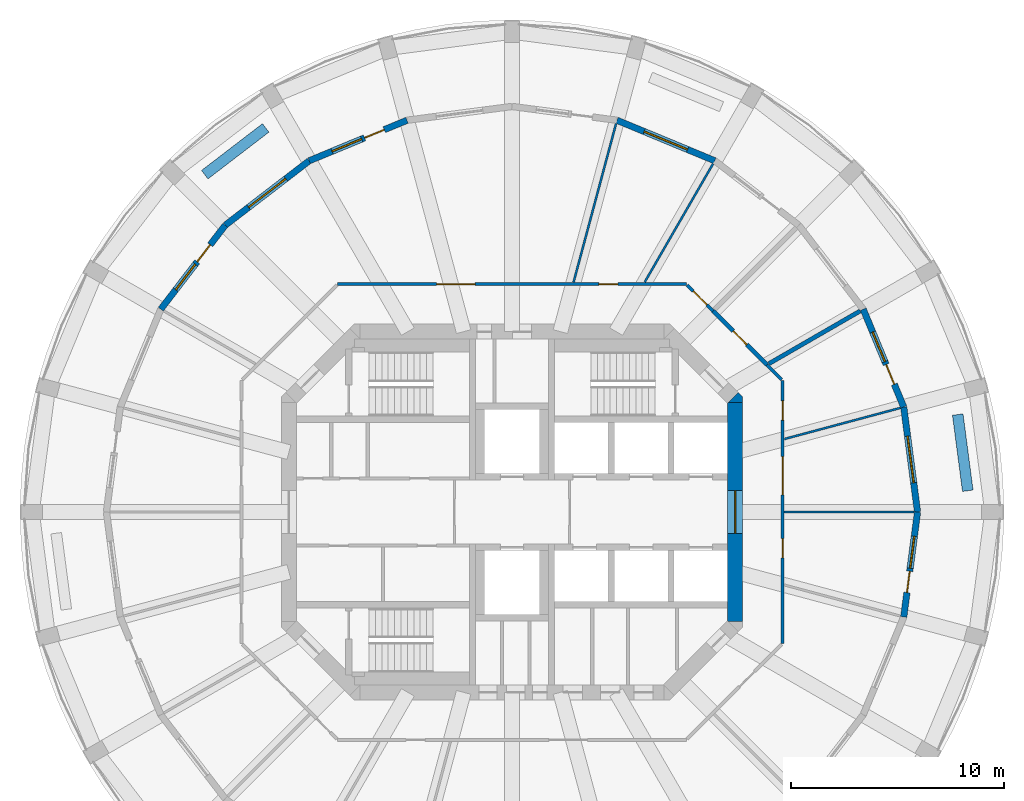
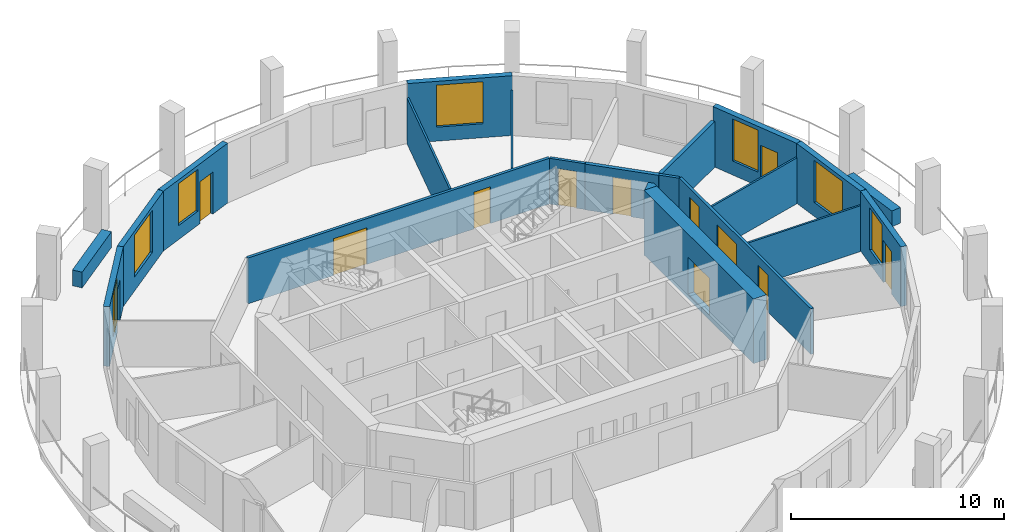
# One storey, part 6 of 9: 21 walls, 12 doors, 7 windows, 19 openings.
"""IFC4 building model written with IfcOpenShell, lengths in metres."""

from ifc_helpers import new_model, si_unit, direction, frame, frame_2d, origin, place, context, subcontext, project, spatial, polyline, rectangle, outline, extrude, material, layer, layer_set, type_object, element, fill, save


model = new_model("IFC4")

# Units and contexts
model_context = context("Model", 3, precision=1e-05, world=origin(), true_north=direction((0.0, 1.0)))
body_context = subcontext(model_context, "Body", "Model", "MODEL_VIEW")
ifc_project = project(units=[si_unit("LENGTHUNIT", "METRE"), si_unit("AREAUNIT", "SQUARE_METRE"), si_unit("VOLUMEUNIT", "CUBIC_METRE"), si_unit("PLANEANGLEUNIT", "RADIAN"), si_unit("MASSUNIT", "GRAM", prefix="KILO")], contexts=[model_context])

# Site, building, storey
site_placement = place(None, origin())
site = spatial("IfcSite", under=ifc_project, at=site_placement, CompositionType="ELEMENT")
building_placement = place(site_placement, origin())
building = spatial("IfcBuilding", under=site, at=building_placement, Name="Torre Triforio", CompositionType="ELEMENT")
storey_placement = place(building_placement, frame((0.0, 0.0, 169.0)))
storey = spatial("IfcBuildingStorey", under=building, at=storey_placement, Name="L38", CompositionType="ELEMENT", Elevation=169.0)

# Wall, opening, door
ifc_material_1 = material(Name="Concrete C50", Category="concrete")
ifc_layer_1 = layer(ifc_material_1, 0.699951171875)
ifc_layer_set_1 = layer_set([ifc_layer_1], Name="Concrete C50")
wall_type_1 = type_object("IfcWallType", Name="Core wall 700 mm C50 EI 120", PredefinedType="SHEAR", material=ifc_layer_set_1)
wall_1_placement = place(storey_placement, frame((10.449951171875, -5.1298828125, -0.280029296875), z_axis=(0.0, 0.0, 1.0), x_axis=(0.0, 1.0, 0.0)))
wall_1 = element("IfcWall", 1, at=wall_1_placement, inside=storey, type_object=wall_type_1, Name="Core wall", PredefinedType="SHEAR", context=body_context, shape_type="SweptSolid", body=[
    extrude(rectangle(XDim=10.259765625, YDim=0.699951171875, at=frame_2d((5.1298828125, 0.0))), origin(), (0.0, 0.0, 1.0), 3.699951171875),
])
opening_1_placement = place(wall_1_placement, frame((4.1298828125, 0.0, 0.280029296875)))
opening_1 = element("IfcOpeningElement", 2, at=opening_1_placement, cuts=wall_1, Name="Opening E-RING", PredefinedType="OPENING", context=body_context, shape_type="SweptSolid", body=[
    extrude(rectangle(XDim=2.0, YDim=2.10009765625, at=frame_2d((1.0, 1.050048828125))), frame((0.0, 0.35986328125, 0.0), z_axis=(0.0, -1.0, 0.0), x_axis=(1.0, 0.0, 0.0)), (0.0, 0.0, 1.0), 0.719970703125),
])
ifc_material_2 = material(Name="Hollow metal fire door leaf")
door_type_1 = type_object("IfcDoorType", Name="Lobby door 2000 x 2100 EI 60", OperationType="DOUBLE_DOOR_SINGLE_SWING", PredefinedType="DOOR", material=ifc_material_2)
door_1_placement = place(opening_1_placement, origin())
door_1 = element("IfcDoor", 3, at=door_1_placement, inside=storey, type_object=door_type_1, Name="Core door E-RING", OperationType="DOUBLE_DOOR_SINGLE_SWING", OverallHeight=2.10009765625, OverallWidth=2.0, PredefinedType="DOOR", context=body_context, shape_type="SweptSolid", body=[
    extrude(rectangle(XDim=2.0, YDim=2.10009765625, at=frame_2d((1.0, 1.050048828125))), frame((0.0, 0.02490234375, 0.0), z_axis=(0.0, -1.0, 0.0), x_axis=(1.0, 0.0, 0.0)), (0.0, 0.0, 1.0), 0.050048828125),
])
fill(opening_1, door_1)

# Wall
wall_2_placement = place(storey_placement, frame((0.0, 0.0, -0.280029296875)))
element("IfcWall", 4, at=wall_2_placement, inside=storey, type_object=wall_type_1, Name="Core wall", PredefinedType="SHEAR", context=body_context, shape_type="SweptSolid", body=[
    extrude(outline(polyline([(10.800048828125, 5.389892578125), (10.800048828125, 5.1298828125), (10.800048828125, 5.1298828125), (10.1298828125, 5.1298828125), (10.594970703125, 5.594970703125), (10.594970703125, 5.594970703125), (10.594970703125, 5.594970703125), (10.800048828125, 5.389892578125)])), origin(), (0.0, 0.0, 1.0), 3.699951171875),
])

# Wall, openings, doors
ifc_material_3 = material(Name="Plasterboard on metal studs")
ifc_layer_2 = layer(ifc_material_3, 0.14990234375)
ifc_layer_set_2 = layer_set([ifc_layer_2], Name="Plasterboard on metal studs")
wall_type_2 = type_object("IfcWallType", Name="Corridor and tenancy wall 150 mm EI 60", PredefinedType="PARTITIONING", material=ifc_layer_set_2)
wall_3_placement = place(storey_placement, frame((-8.16650390625, 10.675048828125, 0.0), z_axis=(0.0, 0.0, 1.0), x_axis=(1.0, 0.0, 0.0)))
wall_3 = element("IfcWall", 5, at=wall_3_placement, inside=storey, type_object=wall_type_2, Name="Partition 6", PredefinedType="PARTITIONING", context=body_context, shape_type="SweptSolid", body=[
    extrude(rectangle(XDim=16.3330078125, YDim=0.14990234375, at=frame_2d((8.16650390625, 0.0))), origin(), (0.0, 0.0, 1.0), 2.6201171875),
])
opening_2_placement = place(wall_3_placement, frame((4.639404296875, 0.0, 0.0)))
opening_2 = element("IfcOpeningElement", 6, at=opening_2_placement, cuts=wall_3, Name="Opening O2-01", PredefinedType="OPENING", context=body_context, shape_type="SweptSolid", body=[
    extrude(rectangle(XDim=1.800048828125, YDim=2.10009765625, at=frame_2d((0.89990234375, 1.050048828125))), frame((0.0, 0.0849609375, 0.0), z_axis=(0.0, -1.0, 0.0), x_axis=(1.0, 0.0, 0.0)), (0.0, 0.0, 1.0), 0.169921875),
])
opening_3_placement = place(wall_3_placement, frame((12.232421875, 0.0, 0.0)))
opening_3 = element("IfcOpeningElement", 7, at=opening_3_placement, cuts=wall_3, Name="Opening O2-16", PredefinedType="OPENING", context=body_context, shape_type="SweptSolid", body=[
    extrude(rectangle(XDim=0.89990234375, YDim=2.10009765625, at=frame_2d((0.449951171875, 1.050048828125))), frame((0.0, 0.0849609375, 0.0), z_axis=(0.0, -1.0, 0.0), x_axis=(1.0, 0.0, 0.0)), (0.0, 0.0, 1.0), 0.169921875),
])
ifc_material_4 = material(Name="Timber", Category="wood")
door_type_2 = type_object("IfcDoorType", Name="Door 1800 x 2100 double leaf EI 30", OperationType="DOUBLE_DOOR_SINGLE_SWING", PredefinedType="DOOR", material=ifc_material_4)
door_2_placement = place(opening_2_placement, origin())
door_2 = element("IfcDoor", 8, at=door_2_placement, inside=storey, type_object=door_type_2, Name="Door O2-01", OperationType="DOUBLE_DOOR_SINGLE_SWING", OverallHeight=2.10009765625, OverallWidth=1.800048828125, PredefinedType="DOOR", context=body_context, shape_type="SweptSolid", body=[
    extrude(rectangle(XDim=1.800048828125, YDim=2.10009765625, at=frame_2d((0.89990234375, 1.050048828125))), frame((0.0, 0.02490234375, 0.0), z_axis=(0.0, -1.0, 0.0), x_axis=(1.0, 0.0, 0.0)), (0.0, 0.0, 1.0), 0.050048828125),
])
fill(opening_2, door_2)
door_type_3 = type_object("IfcDoorType", Name="Door 900 x 2100 single leaf EI 30", OperationType="NOTDEFINED", PredefinedType="DOOR", material=ifc_material_4)
door_3_placement = place(opening_3_placement, origin())
door_3 = element("IfcDoor", 9, at=door_3_placement, inside=storey, type_object=door_type_3, Name="Door O2-16", OperationType="SINGLE_SWING_LEFT", OverallHeight=2.10009765625, OverallWidth=0.89990234375, PredefinedType="DOOR", context=body_context, shape_type="SweptSolid", body=[
    extrude(rectangle(XDim=0.89990234375, YDim=2.10009765625, at=frame_2d((0.449951171875, 1.050048828125))), frame((0.0, 0.02490234375, 0.0), z_axis=(0.0, -1.0, 0.0), x_axis=(1.0, 0.0, 0.0)), (0.0, 0.0, 1.0), 0.050048828125),
])
fill(opening_3, door_3)

# Wall, opening, door
wall_4_placement = place(storey_placement, frame((8.20361328125, 10.637939453125, 0.0), z_axis=(0.0, 0.0, 1.0), x_axis=(0.707177693966, -0.707035861295, 0.0)))
wall_4 = element("IfcWall", 10, at=wall_4_placement, inside=storey, type_object=wall_type_2, Name="Partition 7", PredefinedType="PARTITIONING", context=body_context, shape_type="SweptSolid", body=[
    extrude(rectangle(XDim=1.721435546875, YDim=0.14990234375, at=frame_2d((0.86083984375, 0.0))), origin(), (0.0, 0.0, 1.0), 2.6201171875),
])
opening_4_placement = place(wall_4_placement, frame((0.41064453125, 0.0, 0.0)))
opening_4 = element("IfcOpeningElement", 11, at=opening_4_placement, cuts=wall_4, Name="Opening O2-15", PredefinedType="OPENING", context=body_context, shape_type="SweptSolid", body=[
    extrude(rectangle(XDim=0.89990234375, YDim=2.10009765625, at=frame_2d((0.449951171875, 1.050048828125))), frame((0.0, 0.0849609375, 0.0), z_axis=(0.0, -1.0, 0.0), x_axis=(1.0, 0.0, 0.0)), (0.0, 0.0, 1.0), 0.169921875),
])
door_4_placement = place(opening_4_placement, origin())
door_4 = element("IfcDoor", 12, at=door_4_placement, inside=storey, type_object=door_type_3, Name="Door O2-15", OperationType="SINGLE_SWING_LEFT", OverallHeight=2.10009765625, OverallWidth=0.89990234375, PredefinedType="DOOR", context=body_context, shape_type="SweptSolid", body=[
    extrude(rectangle(XDim=0.89990234375, YDim=2.10009765625, at=frame_2d((0.449951171875, 1.050048828125))), frame((0.0, 0.02490234375, 0.0), z_axis=(0.0, -1.0, 0.0), x_axis=(1.0, 0.0, 0.0)), (0.0, 0.0, 1.0), 0.050048828125),
])
fill(opening_4, door_4)

# Wall
wall_5_placement = place(storey_placement, frame((11.945068359375, 6.896484375, 0.0), z_axis=(0.0, 0.0, 1.0), x_axis=(0.707106781187, -0.707106781187, 0.0)))
element("IfcWall", 13, at=wall_5_placement, inside=storey, type_object=wall_type_2, Name="Partition 9", PredefinedType="PARTITIONING", context=body_context, shape_type="SweptSolid", body=[
    extrude(rectangle(XDim=0.97998046875, YDim=0.14990234375, at=frame_2d((0.489990234375, 0.0))), origin(), (0.0, 0.0, 1.0), 2.6201171875),
])

# Wall, openings, doors
wall_6_placement = place(storey_placement, frame((12.675048828125, 6.16650390625, 0.0), z_axis=(0.0, 0.0, 1.0), x_axis=(0.0, -1.0, 0.0)))
wall_6 = element("IfcWall", 14, at=wall_6_placement, inside=storey, type_object=wall_type_2, Name="Partition 10", PredefinedType="PARTITIONING", context=body_context, shape_type="SweptSolid", body=[
    extrude(rectangle(XDim=12.3330078125, YDim=0.14990234375, at=frame_2d((6.16650390625, 0.0))), origin(), (0.0, 0.0, 1.0), 2.6201171875),
])
opening_5_placement = place(wall_6_placement, frame((7.41552734375, 0.0, 0.0)))
opening_5 = element("IfcOpeningElement", 15, at=opening_5_placement, cuts=wall_6, Name="Opening O2-11", PredefinedType="OPENING", context=body_context, shape_type="SweptSolid", body=[
    extrude(rectangle(XDim=0.89990234375, YDim=2.10009765625, at=frame_2d((0.449951171875, 1.050048828125))), frame((0.0, 0.0849609375, 0.0), z_axis=(0.0, -1.0, 0.0), x_axis=(1.0, 0.0, 0.0)), (0.0, 0.0, 1.0), 0.169921875),
])
opening_6_placement = place(wall_6_placement, frame((3.567626953125, 0.0, 0.0)))
opening_6 = element("IfcOpeningElement", 16, at=opening_6_placement, cuts=wall_6, Name="Opening O2-12", PredefinedType="OPENING", context=body_context, shape_type="SweptSolid", body=[
    extrude(rectangle(XDim=1.800048828125, YDim=2.10009765625, at=frame_2d((0.89990234375, 1.050048828125))), frame((0.0, 0.0849609375, 0.0), z_axis=(0.0, -1.0, 0.0), x_axis=(1.0, 0.0, 0.0)), (0.0, 0.0, 1.0), 0.169921875),
])
opening_7_placement = place(wall_6_placement, frame((0.960205078125, 0.0, 0.0)))
opening_7 = element("IfcOpeningElement", 17, at=opening_7_placement, cuts=wall_6, Name="Opening O2-13", PredefinedType="OPENING", context=body_context, shape_type="SweptSolid", body=[
    extrude(rectangle(XDim=0.89990234375, YDim=2.10009765625, at=frame_2d((0.449951171875, 1.050048828125))), frame((0.0, 0.0849609375, 0.0), z_axis=(0.0, -1.0, 0.0), x_axis=(1.0, 0.0, 0.0)), (0.0, 0.0, 1.0), 0.169921875),
])
door_5_placement = place(opening_6_placement, origin())
door_5 = element("IfcDoor", 18, at=door_5_placement, inside=storey, type_object=door_type_2, Name="Door O2-12", OperationType="DOUBLE_DOOR_SINGLE_SWING", OverallHeight=2.10009765625, OverallWidth=1.800048828125, PredefinedType="DOOR", context=body_context, shape_type="SweptSolid", body=[
    extrude(rectangle(XDim=1.800048828125, YDim=2.10009765625, at=frame_2d((0.89990234375, 1.050048828125))), frame((0.0, 0.02490234375, 0.0), z_axis=(0.0, -1.0, 0.0), x_axis=(1.0, 0.0, 0.0)), (0.0, 0.0, 1.0), 0.050048828125),
])
fill(opening_6, door_5)
door_6_placement = place(opening_5_placement, origin())
door_6 = element("IfcDoor", 19, at=door_6_placement, inside=storey, type_object=door_type_3, Name="Door O2-11", OperationType="SINGLE_SWING_LEFT", OverallHeight=2.10009765625, OverallWidth=0.89990234375, PredefinedType="DOOR", context=body_context, shape_type="SweptSolid", body=[
    extrude(rectangle(XDim=0.89990234375, YDim=2.10009765625, at=frame_2d((0.449951171875, 1.050048828125))), frame((0.0, 0.02490234375, 0.0), z_axis=(0.0, -1.0, 0.0), x_axis=(1.0, 0.0, 0.0)), (0.0, 0.0, 1.0), 0.050048828125),
])
fill(opening_5, door_6)
door_7_placement = place(opening_7_placement, origin())
door_7 = element("IfcDoor", 20, at=door_7_placement, inside=storey, type_object=door_type_3, Name="Door O2-13", OperationType="SINGLE_SWING_LEFT", OverallHeight=2.10009765625, OverallWidth=0.89990234375, PredefinedType="DOOR", context=body_context, shape_type="SweptSolid", body=[
    extrude(rectangle(XDim=0.89990234375, YDim=2.10009765625, at=frame_2d((0.449951171875, 1.050048828125))), frame((0.0, 0.02490234375, 0.0), z_axis=(0.0, -1.0, 0.0), x_axis=(1.0, 0.0, 0.0)), (0.0, 0.0, 1.0), 0.050048828125),
])
fill(opening_7, door_7)

# Walls
ifc_layer_3 = layer(ifc_material_3, 0.10009765625)
ifc_layer_set_3 = layer_set([ifc_layer_3], Name="Plasterboard on metal studs")
wall_type_3 = type_object("IfcWallType", Name="Partition 100 mm board on metal studs", PredefinedType="PARTITIONING", material=ifc_layer_set_3)
wall_7_placement = place(storey_placement, frame((12.75, 0.0, 0.0), z_axis=(0.0, 0.0, 1.0), x_axis=(1.0, 0.0, 0.0)))
element("IfcWall", 21, at=wall_7_placement, inside=storey, type_object=wall_type_3, Name="Partition 11", PredefinedType="PARTITIONING", context=body_context, shape_type="SweptSolid", body=[
    extrude(rectangle(XDim=6.086669921875, YDim=0.10009765625, at=frame_2d((3.04345703125, 0.0))), origin(), (0.0, 0.0, 1.0), 2.6201171875),
])
wall_8_placement = place(storey_placement, frame((12.764404296875, 3.420166015625, 0.0), z_axis=(0.0, 0.0, 1.0), x_axis=(0.965925759926, 0.258819292773, 0.0)))
element("IfcWall", 22, at=wall_8_placement, inside=storey, type_object=wall_type_3, Name="Partition 12", PredefinedType="PARTITIONING", context=body_context, shape_type="SweptSolid", body=[
    extrude(rectangle(XDim=5.6220703125, YDim=0.10009765625, at=frame_2d((2.81103515625, 0.0))), origin(), (0.0, 0.0, 1.0), 2.6201171875),
])
wall_9_placement = place(storey_placement, frame((6.220703125, 10.774658203125, 0.0), z_axis=(0.0, 0.0, 1.0), x_axis=(0.500023166934, 0.866012027936, 0.0)))
element("IfcWall", 23, at=wall_9_placement, inside=storey, type_object=wall_type_3, Name="Partition 15", PredefinedType="PARTITIONING", context=body_context, shape_type="SweptSolid", body=[
    extrude(rectangle(XDim=6.395263671875, YDim=0.10009765625, at=frame_2d((3.19775390625, 0.0))), origin(), (0.0, 0.0, 1.0), 2.6201171875),
])
wall_10_placement = place(storey_placement, frame((2.88427734375, 10.764404296875, 0.0), z_axis=(0.0, 0.0, 1.0), x_axis=(0.25881804804, 0.965926093451, 0.0)))
element("IfcWall", 24, at=wall_10_placement, inside=storey, type_object=wall_type_3, Name="Partition 16", PredefinedType="PARTITIONING", context=body_context, shape_type="SweptSolid", body=[
    extrude(rectangle(XDim=7.692626953125, YDim=0.10009765625, at=frame_2d((3.84619140625, 0.0))), origin(), (0.0, 0.0, 1.0), 2.6201171875),
])

# Wall, opening, door
ifc_material_5 = material(Name="Masonry block", Category="masonry")
ifc_layer_4 = layer(ifc_material_5, 0.199951171875)
ifc_layer_set_4 = layer_set([ifc_layer_4], Name="Masonry block")
wall_type_4 = type_object("IfcWallType", Name="Plant room wall 200 mm block EI 120", PredefinedType="PARTITIONING", material=ifc_layer_set_4)
wall_11_placement = place(storey_placement, frame((9.4208984375, 9.4208984375, 0.0), z_axis=(0.0, 0.0, 1.0), x_axis=(0.707072585922, -0.707140974798, 0.0)))
wall_11 = element("IfcWall", 25, at=wall_11_placement, inside=storey, type_object=wall_type_4, Name="Partition 8", PredefinedType="PARTITIONING", context=body_context, shape_type="SweptSolid", body=[
    extrude(rectangle(XDim=3.56982421875, YDim=0.199951171875, at=frame_2d((1.784912109375, 0.0))), origin(), (0.0, 0.0, 1.0), 2.6201171875),
])
opening_8_placement = place(wall_11_placement, frame((1.3349609375, 0.0, 0.0)))
opening_8 = element("IfcOpeningElement", 26, at=opening_8_placement, cuts=wall_11, Name="Opening O2-14", PredefinedType="OPENING", context=body_context, shape_type="SweptSolid", body=[
    extrude(rectangle(XDim=0.89990234375, YDim=2.10009765625, at=frame_2d((0.449951171875, 1.050048828125))), frame((0.0, 0.10986328125, 0.0), z_axis=(0.0, -1.0, 0.0), x_axis=(1.0, 0.0, 0.0)), (0.0, 0.0, 1.0), 0.219970703125),
])
door_type_4 = type_object("IfcDoorType", Name="Door 900 x 2100 single leaf EI 60", OperationType="NOTDEFINED", PredefinedType="DOOR", material=ifc_material_2)
door_8_placement = place(opening_8_placement, origin())
door_8 = element("IfcDoor", 27, at=door_8_placement, inside=storey, type_object=door_type_4, Name="Door O2-14", OperationType="SINGLE_SWING_LEFT", OverallHeight=2.10009765625, OverallWidth=0.89990234375, PredefinedType="DOOR", context=body_context, shape_type="SweptSolid", body=[
    extrude(rectangle(XDim=0.89990234375, YDim=2.10009765625, at=frame_2d((0.449951171875, 1.050048828125))), frame((0.0, 0.02490234375, 0.0), z_axis=(0.0, -1.0, 0.0), x_axis=(1.0, 0.0, 0.0)), (0.0, 0.0, 1.0), 0.050048828125),
])
fill(opening_8, door_8)

# Walls
wall_12_placement = place(storey_placement, frame((12.035888671875, 6.948974609375, 0.0), z_axis=(0.0, 0.0, 1.0), x_axis=(0.866016828037, 0.500014853336, 0.0)))
element("IfcWall", 28, at=wall_12_placement, inside=storey, type_object=wall_type_4, Name="Partition 13", PredefinedType="PARTITIONING", context=body_context, shape_type="SweptSolid", body=[
    extrude(rectangle(XDim=4.938720703125, YDim=0.199951171875, at=frame_2d((2.46923828125, 0.0))), origin(), (0.0, 0.0, 1.0), 2.6201171875),
])
ifc_material_6 = material(Name="Limestone cladding", Category="masonry")
ifc_layer_5 = layer(ifc_material_6, 0.10009765625)
ifc_material_7 = material(Name="Concrete C40", Category="concrete")
ifc_layer_6 = layer(ifc_material_7, 0.39990234375)
ifc_layer_set_5 = layer_set([ifc_layer_5, ifc_layer_6], Name="Limestone cladding / Concrete C40")
wall_type_5 = type_object("IfcWallType", Name="Planter wall 500", PredefinedType="PARAPET", material=ifc_layer_set_5)
wall_13_placement = place(storey_placement, frame((21.352783203125, 0.99560546875, 0.0), z_axis=(0.0, 0.0, 1.0), x_axis=(-0.130551000099, 0.991441595039, 0.0)))
element("IfcWall", 29, at=wall_13_placement, inside=storey, type_object=wall_type_5, Name="Planter L38 bay 01", PredefinedType="PARAPET", context=body_context, shape_type="SweptSolid", body=[
    extrude(rectangle(XDim=3.599853515625, YDim=0.5, at=frame_2d((1.7998046875, 0.0))), origin(), (0.0, 0.0, 1.0), 0.89990234375),
])
wall_14_placement = place(storey_placement, frame((-11.53857421875, 17.994140625, 0.0), z_axis=(0.0, 0.0, 1.0), x_axis=(-0.793384730612, -0.608720518162, 0.0)))
element("IfcWall", 30, at=wall_14_placement, inside=storey, type_object=wall_type_5, Name="Planter L38 bay 09", PredefinedType="PARAPET", context=body_context, shape_type="SweptSolid", body=[
    extrude(rectangle(XDim=3.60009765625, YDim=0.5, at=frame_2d((1.800048828125, 0.0))), origin(), (0.0, 0.0, 1.0), 0.89990234375),
])

# Wall, opening, window
ifc_layer_7 = layer(ifc_material_6, 0.10009765625)
ifc_layer_8 = layer(ifc_material_7, 0.199951171875)
ifc_layer_set_6 = layer_set([ifc_layer_7, ifc_layer_8], Name="Limestone cladding / Concrete C40")
wall_type_6 = type_object("IfcWallType", Name="Stone-faced composite wall 300", PredefinedType="STANDARD", material=ifc_layer_set_6)
wall_15_placement = place(storey_placement, frame((19.0, 0.0, 0.0), z_axis=(0.0, 0.0, 1.0), x_axis=(-0.130538549191, 0.991443234469, 0.0)))
wall_15 = element("IfcWall", 31, at=wall_15_placement, inside=storey, type_object=wall_type_6, Name="External wall L38 bay 01", PredefinedType="STANDARD", context=body_context, shape_type="SweptSolid", body=[
    extrude(rectangle(XDim=4.9599609375, YDim=0.300048828125, at=frame_2d((2.47998046875, 0.0))), origin(), (0.0, 0.0, 1.0), 3.419921875),
])
opening_9_placement = place(wall_15_placement, frame((1.3798828125, 0.0, 0.800048828125)))
opening_9 = element("IfcOpeningElement", 32, at=opening_9_placement, cuts=wall_15, Name="Opening O2-W01", PredefinedType="OPENING", context=body_context, shape_type="SweptSolid", body=[
    extrude(rectangle(XDim=2.199951171875, YDim=2.39990234375, at=frame_2d((1.10009765625, 1.199951171875))), frame((0.0, 0.159912109375, 0.0), z_axis=(0.0, -1.0, 0.0), x_axis=(1.0, 0.0, 0.0)), (0.0, 0.0, 1.0), 0.320068359375),
])
ifc_material_8 = material(Name="Aluminium frame with clear double glazing", Category="aluminium")
window_type_1 = type_object("IfcWindowType", Name="Punched window 2200 x 2400", PartitioningType="DOUBLE_PANEL_VERTICAL", PredefinedType="WINDOW", material=ifc_material_8)
window_1_placement = place(opening_9_placement, origin())
window_1 = element("IfcWindow", 33, at=window_1_placement, inside=storey, type_object=window_type_1, Name="Window EWN5 L38 bay 01", OverallHeight=2.39990234375, OverallWidth=2.199951171875, PartitioningType="SINGLE_PANEL", PredefinedType="WINDOW", context=body_context, shape_type="SweptSolid", body=[
    extrude(rectangle(XDim=2.199951171875, YDim=2.39990234375, at=frame_2d((1.10009765625, 1.199951171875))), frame((0.0, 0.030029296875, 0.0), z_axis=(0.0, -1.0, 0.0), x_axis=(1.0, 0.0, 0.0)), (0.0, 0.0, 1.0), 0.06005859375),
])
fill(opening_9, window_1)

# Wall, openings, door, window
wall_16_placement = place(storey_placement, frame((18.3525390625, 4.91748046875, 0.0), z_axis=(0.0, 0.0, 1.0), x_axis=(-0.382650301762, 0.923893254961, 0.0)))
wall_16 = element("IfcWall", 34, at=wall_16_placement, inside=storey, type_object=wall_type_6, Name="External wall L38 bay 02", PredefinedType="STANDARD", context=body_context, shape_type="SweptSolid", body=[
    extrude(rectangle(XDim=4.9599609375, YDim=0.300048828125, at=frame_2d((2.47998046875, 0.0))), origin(), (0.0, 0.0, 1.0), 3.419921875),
])
opening_10_placement = place(wall_16_placement, frame((1.155029296875, 0.0, 0.0)))
opening_10 = element("IfcOpeningElement", 35, at=opening_10_placement, cuts=wall_16, Name="Opening O2-D02", PredefinedType="OPENING", context=body_context, shape_type="SweptSolid", body=[
    extrude(rectangle(XDim=1.0, YDim=2.39990234375, at=frame_2d((0.5, 1.199951171875))), frame((0.0, 0.159912109375, 0.0), z_axis=(0.0, -1.0, 0.0), x_axis=(1.0, 0.0, 0.0)), (0.0, 0.0, 1.0), 0.320068359375),
])
opening_11_placement = place(wall_16_placement, frame((2.304931640625, 0.0, 0.800048828125)))
opening_11 = element("IfcOpeningElement", 36, at=opening_11_placement, cuts=wall_16, Name="Opening O2-W02A", PredefinedType="OPENING", context=body_context, shape_type="SweptSolid", body=[
    extrude(rectangle(XDim=1.5, YDim=2.39990234375, at=frame_2d((0.75, 1.199951171875))), frame((0.0, 0.159912109375, 0.0), z_axis=(0.0, -1.0, 0.0), x_axis=(1.0, 0.0, 0.0)), (0.0, 0.0, 1.0), 0.320068359375),
])
door_type_5 = type_object("IfcDoorType", Name="Loggia door 1000 x 2400", OperationType="NOTDEFINED", PredefinedType="DOOR", material=ifc_material_8)
door_9_placement = place(opening_10_placement, origin())
door_9 = element("IfcDoor", 37, at=door_9_placement, inside=storey, type_object=door_type_5, Name="Loggia door L38 bay 02", OperationType="SINGLE_SWING_LEFT", OverallHeight=2.39990234375, OverallWidth=1.0, PredefinedType="DOOR", context=body_context, shape_type="SweptSolid", body=[
    extrude(rectangle(XDim=1.0, YDim=2.39990234375, at=frame_2d((0.5, 1.199951171875))), frame((0.0, 0.02490234375, 0.0), z_axis=(0.0, -1.0, 0.0), x_axis=(1.0, 0.0, 0.0)), (0.0, 0.0, 1.0), 0.050048828125),
])
fill(opening_10, door_9)
window_type_2 = type_object("IfcWindowType", Name="Side window 1500 x 2400", PartitioningType="SINGLE_PANEL", PredefinedType="WINDOW", material=ifc_material_8)
window_2_placement = place(opening_11_placement, origin())
window_2 = element("IfcWindow", 38, at=window_2_placement, inside=storey, type_object=window_type_2, Name="Side window EWN14 L38 bay 02", OverallHeight=2.39990234375, OverallWidth=1.5, PartitioningType="SINGLE_PANEL", PredefinedType="WINDOW", context=body_context, shape_type="SweptSolid", body=[
    extrude(rectangle(XDim=1.5, YDim=2.39990234375, at=frame_2d((0.75, 1.199951171875))), frame((0.0, 0.030029296875, 0.0), z_axis=(0.0, -1.0, 0.0), x_axis=(1.0, 0.0, 0.0)), (0.0, 0.0, 1.0), 0.06005859375),
])
fill(opening_11, window_2)

# Wall, opening, window
wall_17_placement = place(storey_placement, frame((9.5, 16.45458984375, 0.0), z_axis=(0.0, 0.0, 1.0), x_axis=(-0.923893254961, 0.382650301762, 0.0)))
wall_17 = element("IfcWall", 39, at=wall_17_placement, inside=storey, type_object=wall_type_6, Name="External wall L38 bay 05", PredefinedType="STANDARD", context=body_context, shape_type="SweptSolid", body=[
    extrude(rectangle(XDim=4.9599609375, YDim=0.300048828125, at=frame_2d((2.47998046875, 0.0))), origin(), (0.0, 0.0, 1.0), 3.419921875),
])
opening_12_placement = place(wall_17_placement, frame((1.3798828125, 0.0, 0.800048828125)))
opening_12 = element("IfcOpeningElement", 40, at=opening_12_placement, cuts=wall_17, Name="Opening O2-W05", PredefinedType="OPENING", context=body_context, shape_type="SweptSolid", body=[
    extrude(rectangle(XDim=2.199951171875, YDim=2.39990234375, at=frame_2d((1.10009765625, 1.199951171875))), frame((0.0, 0.159912109375, 0.0), z_axis=(0.0, -1.0, 0.0), x_axis=(1.0, 0.0, 0.0)), (0.0, 0.0, 1.0), 0.320068359375),
])
window_3_placement = place(opening_12_placement, origin())
window_3 = element("IfcWindow", 41, at=window_3_placement, inside=storey, type_object=window_type_1, Name="Window EWN5 L38 bay 05", OverallHeight=2.39990234375, OverallWidth=2.199951171875, PartitioningType="SINGLE_PANEL", PredefinedType="WINDOW", context=body_context, shape_type="SweptSolid", body=[
    extrude(rectangle(XDim=2.199951171875, YDim=2.39990234375, at=frame_2d((1.10009765625, 1.199951171875))), frame((0.0, 0.030029296875, 0.0), z_axis=(0.0, -1.0, 0.0), x_axis=(1.0, 0.0, 0.0)), (0.0, 0.0, 1.0), 0.06005859375),
])
fill(opening_12, window_3)

# Wall, openings, door, window
wall_18_placement = place(storey_placement, frame((-4.91748046875, 18.3525390625, 0.0), z_axis=(0.0, 0.0, 1.0), x_axis=(-0.923893254961, -0.382650301762, 0.0)))
wall_18 = element("IfcWall", 42, at=wall_18_placement, inside=storey, type_object=wall_type_6, Name="External wall L38 bay 08", PredefinedType="STANDARD", context=body_context, shape_type="SweptSolid", body=[
    extrude(rectangle(XDim=4.9599609375, YDim=0.300048828125, at=frame_2d((2.47998046875, 0.0))), origin(), (0.0, 0.0, 1.0), 3.419921875),
])
opening_13_placement = place(wall_18_placement, frame((1.155029296875, 0.0, 0.0)))
opening_13 = element("IfcOpeningElement", 43, at=opening_13_placement, cuts=wall_18, Name="Opening O2-D08", PredefinedType="OPENING", context=body_context, shape_type="SweptSolid", body=[
    extrude(rectangle(XDim=1.0, YDim=2.39990234375, at=frame_2d((0.5, 1.199951171875))), frame((0.0, 0.159912109375, 0.0), z_axis=(0.0, -1.0, 0.0), x_axis=(1.0, 0.0, 0.0)), (0.0, 0.0, 1.0), 0.320068359375),
])
opening_14_placement = place(wall_18_placement, frame((2.304931640625, 0.0, 0.800048828125)))
opening_14 = element("IfcOpeningElement", 44, at=opening_14_placement, cuts=wall_18, Name="Opening O2-W08A", PredefinedType="OPENING", context=body_context, shape_type="SweptSolid", body=[
    extrude(rectangle(XDim=1.5, YDim=2.39990234375, at=frame_2d((0.75, 1.199951171875))), frame((0.0, 0.159912109375, 0.0), z_axis=(0.0, -1.0, 0.0), x_axis=(1.0, 0.0, 0.0)), (0.0, 0.0, 1.0), 0.320068359375),
])
door_10_placement = place(opening_13_placement, origin())
door_10 = element("IfcDoor", 45, at=door_10_placement, inside=storey, type_object=door_type_5, Name="Loggia door L38 bay 08", OperationType="SINGLE_SWING_LEFT", OverallHeight=2.39990234375, OverallWidth=1.0, PredefinedType="DOOR", context=body_context, shape_type="SweptSolid", body=[
    extrude(rectangle(XDim=1.0, YDim=2.39990234375, at=frame_2d((0.5, 1.199951171875))), frame((0.0, 0.02490234375, 0.0), z_axis=(0.0, -1.0, 0.0), x_axis=(1.0, 0.0, 0.0)), (0.0, 0.0, 1.0), 0.050048828125),
])
fill(opening_13, door_10)
window_4_placement = place(opening_14_placement, origin())
window_4 = element("IfcWindow", 46, at=window_4_placement, inside=storey, type_object=window_type_2, Name="Side window EWN14 L38 bay 08", OverallHeight=2.39990234375, OverallWidth=1.5, PartitioningType="SINGLE_PANEL", PredefinedType="WINDOW", context=body_context, shape_type="SweptSolid", body=[
    extrude(rectangle(XDim=1.5, YDim=2.39990234375, at=frame_2d((0.75, 1.199951171875))), frame((0.0, 0.030029296875, 0.0), z_axis=(0.0, -1.0, 0.0), x_axis=(1.0, 0.0, 0.0)), (0.0, 0.0, 1.0), 0.06005859375),
])
fill(opening_14, window_4)

# Wall, opening, window
wall_19_placement = place(storey_placement, frame((-9.5, 16.45458984375, 0.0), z_axis=(0.0, 0.0, 1.0), x_axis=(-0.793348024649, -0.608768356425, 0.0)))
wall_19 = element("IfcWall", 47, at=wall_19_placement, inside=storey, type_object=wall_type_6, Name="External wall L38 bay 09", PredefinedType="STANDARD", context=body_context, shape_type="SweptSolid", body=[
    extrude(rectangle(XDim=4.9599609375, YDim=0.300048828125, at=frame_2d((2.47998046875, 0.0))), origin(), (0.0, 0.0, 1.0), 3.419921875),
])
opening_15_placement = place(wall_19_placement, frame((1.3798828125, 0.0, 0.800048828125)))
opening_15 = element("IfcOpeningElement", 48, at=opening_15_placement, cuts=wall_19, Name="Opening O2-W09", PredefinedType="OPENING", context=body_context, shape_type="SweptSolid", body=[
    extrude(rectangle(XDim=2.199951171875, YDim=2.39990234375, at=frame_2d((1.10009765625, 1.199951171875))), frame((0.0, 0.159912109375, 0.0), z_axis=(0.0, -1.0, 0.0), x_axis=(1.0, 0.0, 0.0)), (0.0, 0.0, 1.0), 0.320068359375),
])
window_5_placement = place(opening_15_placement, origin())
window_5 = element("IfcWindow", 49, at=window_5_placement, inside=storey, type_object=window_type_1, Name="Window EWN5 L38 bay 09", OverallHeight=2.39990234375, OverallWidth=2.199951171875, PartitioningType="SINGLE_PANEL", PredefinedType="WINDOW", context=body_context, shape_type="SweptSolid", body=[
    extrude(rectangle(XDim=2.199951171875, YDim=2.39990234375, at=frame_2d((1.10009765625, 1.199951171875))), frame((0.0, 0.030029296875, 0.0), z_axis=(0.0, -1.0, 0.0), x_axis=(1.0, 0.0, 0.0)), (0.0, 0.0, 1.0), 0.06005859375),
])
fill(opening_15, window_5)

# Wall, openings, door, window
wall_20_placement = place(storey_placement, frame((-13.43505859375, 13.43505859375, 0.0), z_axis=(0.0, 0.0, 1.0), x_axis=(-0.608768356425, -0.793348024649, 0.0)))
wall_20 = element("IfcWall", 50, at=wall_20_placement, inside=storey, type_object=wall_type_6, Name="External wall L38 bay 10", PredefinedType="STANDARD", context=body_context, shape_type="SweptSolid", body=[
    extrude(rectangle(XDim=4.9599609375, YDim=0.300048828125, at=frame_2d((2.47998046875, 0.0))), origin(), (0.0, 0.0, 1.0), 3.419921875),
])
opening_16_placement = place(wall_20_placement, frame((1.155029296875, 0.0, 0.0)))
opening_16 = element("IfcOpeningElement", 51, at=opening_16_placement, cuts=wall_20, Name="Opening O2-D10", PredefinedType="OPENING", context=body_context, shape_type="SweptSolid", body=[
    extrude(rectangle(XDim=1.0, YDim=2.39990234375, at=frame_2d((0.5, 1.199951171875))), frame((0.0, 0.159912109375, 0.0), z_axis=(0.0, -1.0, 0.0), x_axis=(1.0, 0.0, 0.0)), (0.0, 0.0, 1.0), 0.320068359375),
])
opening_17_placement = place(wall_20_placement, frame((2.304931640625, 0.0, 0.800048828125)))
opening_17 = element("IfcOpeningElement", 52, at=opening_17_placement, cuts=wall_20, Name="Opening O2-W10A", PredefinedType="OPENING", context=body_context, shape_type="SweptSolid", body=[
    extrude(rectangle(XDim=1.5, YDim=2.39990234375, at=frame_2d((0.75, 1.199951171875))), frame((0.0, 0.159912109375, 0.0), z_axis=(0.0, -1.0, 0.0), x_axis=(1.0, 0.0, 0.0)), (0.0, 0.0, 1.0), 0.320068359375),
])
door_11_placement = place(opening_16_placement, origin())
door_11 = element("IfcDoor", 53, at=door_11_placement, inside=storey, type_object=door_type_5, Name="Loggia door L38 bay 10", OperationType="SINGLE_SWING_LEFT", OverallHeight=2.39990234375, OverallWidth=1.0, PredefinedType="DOOR", context=body_context, shape_type="SweptSolid", body=[
    extrude(rectangle(XDim=1.0, YDim=2.39990234375, at=frame_2d((0.5, 1.199951171875))), frame((0.0, 0.02490234375, 0.0), z_axis=(0.0, -1.0, 0.0), x_axis=(1.0, 0.0, 0.0)), (0.0, 0.0, 1.0), 0.050048828125),
])
fill(opening_16, door_11)
window_6_placement = place(opening_17_placement, origin())
window_6 = element("IfcWindow", 54, at=window_6_placement, inside=storey, type_object=window_type_2, Name="Side window EWN14 L38 bay 10", OverallHeight=2.39990234375, OverallWidth=1.5, PartitioningType="SINGLE_PANEL", PredefinedType="WINDOW", context=body_context, shape_type="SweptSolid", body=[
    extrude(rectangle(XDim=1.5, YDim=2.39990234375, at=frame_2d((0.75, 1.199951171875))), frame((0.0, 0.030029296875, 0.0), z_axis=(0.0, -1.0, 0.0), x_axis=(1.0, 0.0, 0.0)), (0.0, 0.0, 1.0), 0.06005859375),
])
fill(opening_17, window_6)

wall_21_placement = place(storey_placement, frame((18.3525390625, -4.91748046875, 0.0), z_axis=(0.0, 0.0, 1.0), x_axis=(0.130538549191, 0.991443234469, 0.0)))
wall_21 = element("IfcWall", 55, at=wall_21_placement, inside=storey, type_object=wall_type_6, Name="External wall L38 bay 24", PredefinedType="STANDARD", context=body_context, shape_type="SweptSolid", body=[
    extrude(rectangle(XDim=4.9599609375, YDim=0.300048828125, at=frame_2d((2.47998046875, 0.0))), origin(), (0.0, 0.0, 1.0), 3.419921875),
])
opening_18_placement = place(wall_21_placement, frame((1.155029296875, 0.0, 0.0)))
opening_18 = element("IfcOpeningElement", 56, at=opening_18_placement, cuts=wall_21, Name="Opening O2-D24", PredefinedType="OPENING", context=body_context, shape_type="SweptSolid", body=[
    extrude(rectangle(XDim=1.0, YDim=2.39990234375, at=frame_2d((0.5, 1.199951171875))), frame((0.0, 0.159912109375, 0.0), z_axis=(0.0, -1.0, 0.0), x_axis=(1.0, 0.0, 0.0)), (0.0, 0.0, 1.0), 0.320068359375),
])
opening_19_placement = place(wall_21_placement, frame((2.304931640625, 0.0, 0.800048828125)))
opening_19 = element("IfcOpeningElement", 57, at=opening_19_placement, cuts=wall_21, Name="Opening O2-W24A", PredefinedType="OPENING", context=body_context, shape_type="SweptSolid", body=[
    extrude(rectangle(XDim=1.5, YDim=2.39990234375, at=frame_2d((0.75, 1.199951171875))), frame((0.0, 0.159912109375, 0.0), z_axis=(0.0, -1.0, 0.0), x_axis=(1.0, 0.0, 0.0)), (0.0, 0.0, 1.0), 0.320068359375),
])
door_12_placement = place(opening_18_placement, origin())
door_12 = element("IfcDoor", 58, at=door_12_placement, inside=storey, type_object=door_type_5, Name="Loggia door L38 bay 24", OperationType="SINGLE_SWING_LEFT", OverallHeight=2.39990234375, OverallWidth=1.0, PredefinedType="DOOR", context=body_context, shape_type="SweptSolid", body=[
    extrude(rectangle(XDim=1.0, YDim=2.39990234375, at=frame_2d((0.5, 1.199951171875))), frame((0.0, 0.02490234375, 0.0), z_axis=(0.0, -1.0, 0.0), x_axis=(1.0, 0.0, 0.0)), (0.0, 0.0, 1.0), 0.050048828125),
])
fill(opening_18, door_12)
window_7_placement = place(opening_19_placement, origin())
window_7 = element("IfcWindow", 59, at=window_7_placement, inside=storey, type_object=window_type_2, Name="Side window EWN14 L38 bay 24", OverallHeight=2.39990234375, OverallWidth=1.5, PartitioningType="SINGLE_PANEL", PredefinedType="WINDOW", context=body_context, shape_type="SweptSolid", body=[
    extrude(rectangle(XDim=1.5, YDim=2.39990234375, at=frame_2d((0.75, 1.199951171875))), frame((0.0, 0.030029296875, 0.0), z_axis=(0.0, -1.0, 0.0), x_axis=(1.0, 0.0, 0.0)), (0.0, 0.0, 1.0), 0.06005859375),
])
fill(opening_19, window_7)

save(model, "model.ifc")
